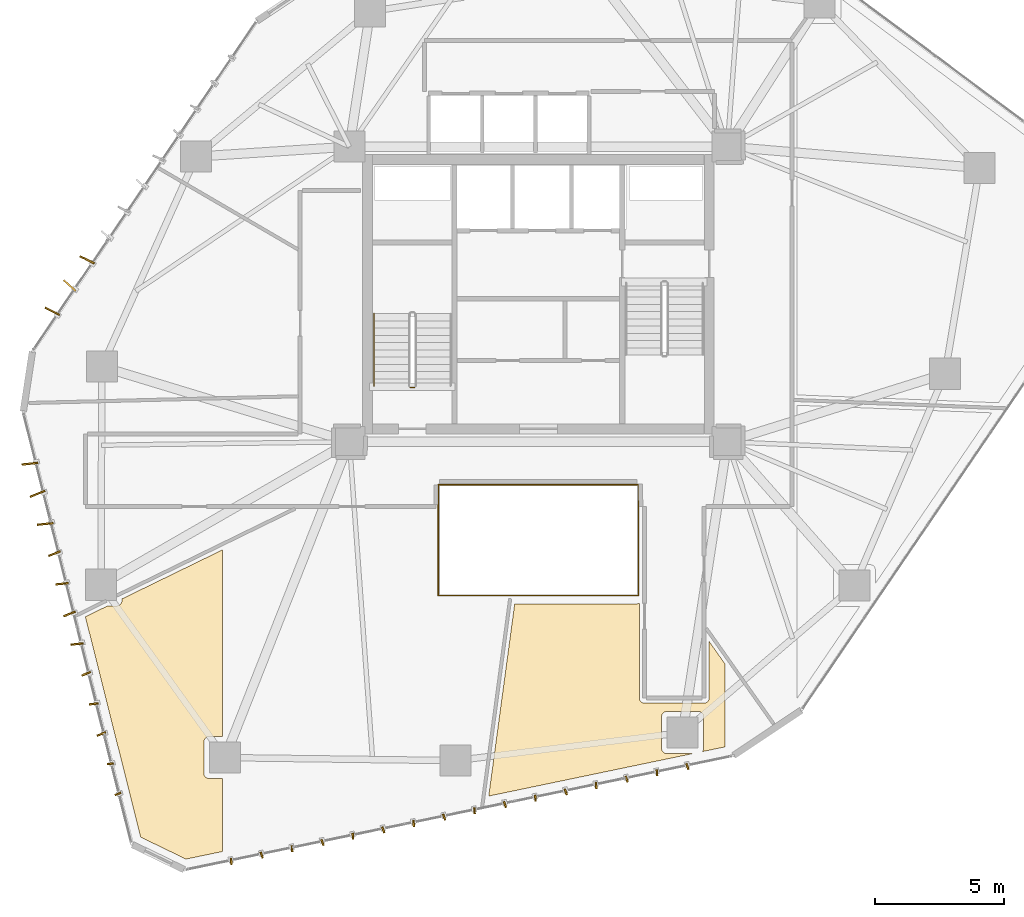
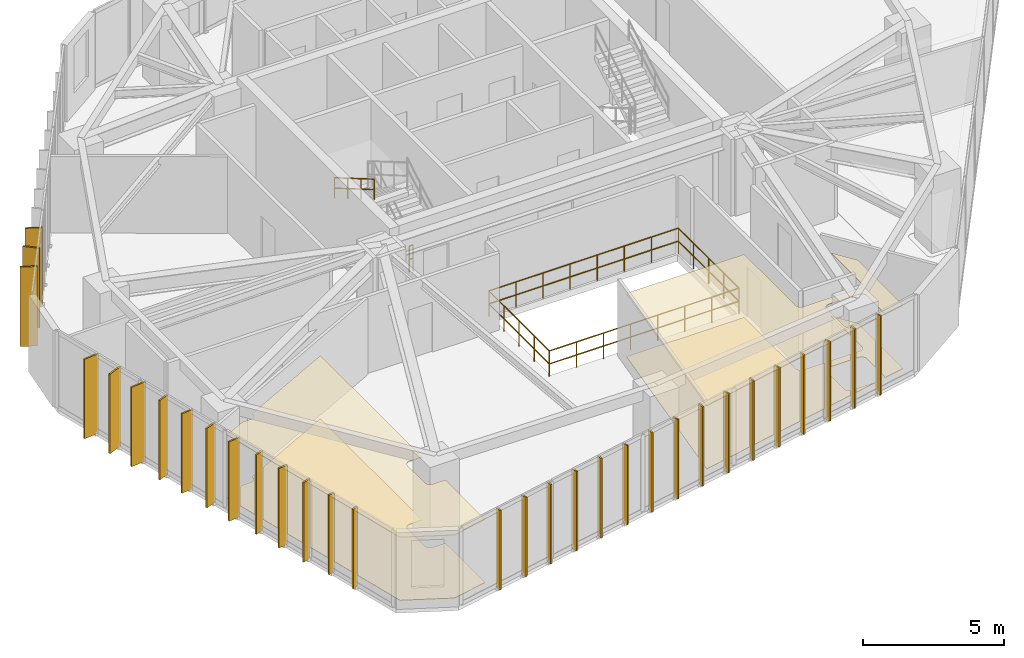
# One storey, part 20 of 22: 31 shading devices, 6 railings, 4 coverings.
"""IFC4 building model written with IfcOpenShell, lengths in metres."""

from ifc_helpers import new_model, si_unit, direction, frame, origin, origin_2d, place, context, subcontext, project, spatial, polyline, rectangle, circle, outline, extrude, source, transform, mapped, material, layer, layer_set, type_object, type_shapes, element, save


model = new_model("IFC4")

# Units and contexts
model_context = context("Model", 3, precision=1e-05, world=origin(), true_north=direction((0.0, 1.0)))
body_context = subcontext(model_context, "Body", "Model", "MODEL_VIEW")
ifc_project = project(units=[si_unit("LENGTHUNIT", "METRE"), si_unit("AREAUNIT", "SQUARE_METRE"), si_unit("VOLUMEUNIT", "CUBIC_METRE"), si_unit("PLANEANGLEUNIT", "RADIAN"), si_unit("MASSUNIT", "GRAM", prefix="KILO")], contexts=[model_context])

# Site, building, storey
site_placement = place(None, origin())
site = spatial("IfcSite", under=ifc_project, at=site_placement, CompositionType="ELEMENT")
building_placement = place(site_placement, origin())
building = spatial("IfcBuilding", under=site, at=building_placement, Name="Talar Marvaseh", CompositionType="ELEMENT")
storey_placement = place(building_placement, frame((0.0, 0.0, 125.39990234375)))
storey = spatial("IfcBuildingStorey", under=building, at=storey_placement, Name="L32", CompositionType="ELEMENT", Elevation=125.39990234375)

# Railings
ifc_material_1 = material(Name="Stainless Steel Grade 316", Category="steel")
railing_type_1 = type_object("IfcRailingType", Name="Brushed Stainless Wall Pitch Handrail 900", PredefinedType="HANDRAIL", material=ifc_material_1)
railing_1_placement = place(storey_placement, frame((19.64990234375, 30.449951171875, 1.963623046875)))
element("IfcRailing", 1, at=railing_1_placement, inside=storey, type_object=railing_type_1, Name="L32 ST-1 stair handrail 2", PredefinedType="HANDRAIL", context=body_context, shape_type="SweptSolid", body=[
    extrude(circle(Radius=0.02392578125, at=origin_2d()), frame((0.0, 0.0, 0.8759765625), z_axis=(0.0, -0.863360870873, 0.504586966384), x_axis=(1.0, 0.0, 0.0)), (0.0, 0.0, 1.0), 3.2431640625),
    extrude(circle(Radius=0.02392578125, at=origin_2d()), frame((0.0, 0.0, 0.42578125), z_axis=(0.0, -0.863360870873, 0.504586966384), x_axis=(1.0, 0.0, 0.0)), (0.0, 0.0, 1.0), 3.2431640625),
    extrude(circle(Radius=0.02099609375, at=origin_2d()), origin(), (0.0, 0.0, 1.0), 0.851806640625),
    extrude(circle(Radius=0.02099609375, at=origin_2d()), frame((0.0, -0.933349609375, 0.54541015625)), (0.0, 0.0, 1.0), 0.851806640625),
    extrude(circle(Radius=0.02099609375, at=origin_2d()), frame((0.0, -1.86669921875, 1.091064453125)), (0.0, 0.0, 1.0), 0.851806640625),
    extrude(circle(Radius=0.02099609375, at=origin_2d()), frame((0.0, -2.800048828125, 1.636474609375)), (0.0, 0.0, 1.0), 0.851806640625),
])
ifc_material_2 = material(Name="Tempered Clear Glass", Category="glass")
railing_type_2 = type_object("IfcRailingType", Name="Interior Atrium Edge Balustrade 1120", PredefinedType="BALUSTRADE", material=ifc_material_2)
railing_2_placement = place(storey_placement, frame((22.1298828125, 19.561279296875, 0.0)))
element("IfcRailing", 2, at=railing_2_placement, inside=storey, type_object=railing_type_2, Name="L32 Internal Daylight Atrium Balustrade 1", PredefinedType="BALUSTRADE", context=body_context, shape_type="SweptSolid", body=[
    extrude(circle(Radius=0.02392578125, at=origin_2d()), frame((0.0, 0.0, 1.09619140625), z_axis=(1.0, 0.0, 0.0), x_axis=(0.0, 1.0, 0.0)), (0.0, 0.0, 1.0), 7.740234375),
    extrude(circle(Radius=0.02392578125, at=origin_2d()), frame((0.0, 0.0, 0.5361328125), z_axis=(1.0, 0.0, 0.0), x_axis=(0.0, 1.0, 0.0)), (0.0, 0.0, 1.0), 7.740234375),
    extrude(circle(Radius=0.02099609375, at=origin_2d()), origin(), (0.0, 0.0, 1.0), 1.072021484375),
    extrude(circle(Radius=0.02099609375, at=origin_2d()), frame((1.105712890625, 0.0, 0.0)), (0.0, 0.0, 1.0), 1.072021484375),
    extrude(circle(Radius=0.02099609375, at=origin_2d()), frame((2.21142578125, 0.0, 0.0)), (0.0, 0.0, 1.0), 1.072021484375),
    extrude(circle(Radius=0.02099609375, at=origin_2d()), frame((3.317138671875, 0.0, 0.0)), (0.0, 0.0, 1.0), 1.072021484375),
    extrude(circle(Radius=0.02099609375, at=origin_2d()), frame((4.423095703125, 0.0, 0.0)), (0.0, 0.0, 1.0), 1.072021484375),
    extrude(circle(Radius=0.02099609375, at=origin_2d()), frame((5.52880859375, 0.0, 0.0)), (0.0, 0.0, 1.0), 1.072021484375),
    extrude(circle(Radius=0.02099609375, at=origin_2d()), frame((6.634521484375, 0.0, 0.0)), (0.0, 0.0, 1.0), 1.072021484375),
    extrude(circle(Radius=0.02099609375, at=origin_2d()), frame((7.740234375, 0.0, 0.0)), (0.0, 0.0, 1.0), 1.072021484375),
])
railing_3_placement = place(storey_placement, frame((29.8701171875, 19.561279296875, 0.0)))
element("IfcRailing", 3, at=railing_3_placement, inside=storey, type_object=railing_type_2, Name="L32 Internal Daylight Atrium Balustrade 2", PredefinedType="BALUSTRADE", context=body_context, shape_type="SweptSolid", body=[
    extrude(circle(Radius=0.02392578125, at=origin_2d()), frame((0.0, 0.0, 1.09619140625), z_axis=(0.0, 1.0, 0.0), x_axis=(-1.0, 0.0, 0.0)), (0.0, 0.0, 1.0), 4.27734375),
    extrude(circle(Radius=0.02392578125, at=origin_2d()), frame((0.0, 0.0, 0.5361328125), z_axis=(0.0, 1.0, 0.0), x_axis=(-1.0, 0.0, 0.0)), (0.0, 0.0, 1.0), 4.27734375),
    extrude(circle(Radius=0.02099609375, at=origin_2d()), origin(), (0.0, 0.0, 1.0), 1.072021484375),
    extrude(circle(Radius=0.02099609375, at=origin_2d()), frame((0.0, 1.0693359375, 0.0)), (0.0, 0.0, 1.0), 1.072021484375),
    extrude(circle(Radius=0.02099609375, at=origin_2d()), frame((0.0, 2.138671875, 0.0)), (0.0, 0.0, 1.0), 1.072021484375),
    extrude(circle(Radius=0.02099609375, at=origin_2d()), frame((0.0, 3.2080078125, 0.0)), (0.0, 0.0, 1.0), 1.072021484375),
    extrude(circle(Radius=0.02099609375, at=origin_2d()), frame((0.0, 4.27734375, 0.0)), (0.0, 0.0, 1.0), 1.072021484375),
])
railing_4_placement = place(storey_placement, frame((29.8701171875, 23.838623046875, 0.0)))
element("IfcRailing", 4, at=railing_4_placement, inside=storey, type_object=railing_type_2, Name="L32 Internal Daylight Atrium Balustrade 3", PredefinedType="BALUSTRADE", context=body_context, shape_type="SweptSolid", body=[
    extrude(circle(Radius=0.02392578125, at=origin_2d()), frame((0.0, 0.0, 1.09619140625), z_axis=(-1.0, 0.0, 0.0), x_axis=(0.0, -1.0, 0.0)), (0.0, 0.0, 1.0), 7.740234375),
    extrude(circle(Radius=0.02392578125, at=origin_2d()), frame((0.0, 0.0, 0.5361328125), z_axis=(-1.0, 0.0, 0.0), x_axis=(0.0, -1.0, 0.0)), (0.0, 0.0, 1.0), 7.740234375),
    extrude(circle(Radius=0.02099609375, at=origin_2d()), origin(), (0.0, 0.0, 1.0), 1.072021484375),
    extrude(circle(Radius=0.02099609375, at=origin_2d()), frame((-1.105712890625, 0.0, 0.0)), (0.0, 0.0, 1.0), 1.072021484375),
    extrude(circle(Radius=0.02099609375, at=origin_2d()), frame((-2.21142578125, 0.0, 0.0)), (0.0, 0.0, 1.0), 1.072021484375),
    extrude(circle(Radius=0.02099609375, at=origin_2d()), frame((-3.317138671875, 0.0, 0.0)), (0.0, 0.0, 1.0), 1.072021484375),
    extrude(circle(Radius=0.02099609375, at=origin_2d()), frame((-4.423095703125, 0.0, 0.0)), (0.0, 0.0, 1.0), 1.072021484375),
    extrude(circle(Radius=0.02099609375, at=origin_2d()), frame((-5.52880859375, 0.0, 0.0)), (0.0, 0.0, 1.0), 1.072021484375),
    extrude(circle(Radius=0.02099609375, at=origin_2d()), frame((-6.634521484375, 0.0, 0.0)), (0.0, 0.0, 1.0), 1.072021484375),
    extrude(circle(Radius=0.02099609375, at=origin_2d()), frame((-7.740234375, 0.0, 0.0)), (0.0, 0.0, 1.0), 1.072021484375),
])
railing_5_placement = place(storey_placement, frame((22.1298828125, 23.838623046875, 0.0)))
element("IfcRailing", 5, at=railing_5_placement, inside=storey, type_object=railing_type_2, Name="L32 Internal Daylight Atrium Balustrade 4", PredefinedType="BALUSTRADE", context=body_context, shape_type="SweptSolid", body=[
    extrude(circle(Radius=0.02392578125, at=origin_2d()), frame((0.0, 0.0, 1.09619140625), z_axis=(0.0, -1.0, 0.0), x_axis=(1.0, 0.0, 0.0)), (0.0, 0.0, 1.0), 4.27734375),
    extrude(circle(Radius=0.02392578125, at=origin_2d()), frame((0.0, 0.0, 0.5361328125), z_axis=(0.0, -1.0, 0.0), x_axis=(1.0, 0.0, 0.0)), (0.0, 0.0, 1.0), 4.27734375),
    extrude(circle(Radius=0.02099609375, at=origin_2d()), origin(), (0.0, 0.0, 1.0), 1.072021484375),
    extrude(circle(Radius=0.02099609375, at=origin_2d()), frame((0.0, -1.0693359375, 0.0)), (0.0, 0.0, 1.0), 1.072021484375),
    extrude(circle(Radius=0.02099609375, at=origin_2d()), frame((0.0, -2.138671875, 0.0)), (0.0, 0.0, 1.0), 1.072021484375),
    extrude(circle(Radius=0.02099609375, at=origin_2d()), frame((0.0, -3.2080078125, 0.0)), (0.0, 0.0, 1.0), 1.072021484375),
    extrude(circle(Radius=0.02099609375, at=origin_2d()), frame((0.0, -4.27734375, 0.0)), (0.0, 0.0, 1.0), 1.072021484375),
])
railing_type_3 = type_object("IfcRailingType", Name="Painted Steel Core Stair Well Guardrail 1150", PredefinedType="GUARDRAIL", material=ifc_material_1)
railing_6_placement = place(storey_placement, frame((21.2099609375, 27.60009765625, 0.0)))
element("IfcRailing", 6, at=railing_6_placement, inside=storey, type_object=railing_type_3, Name="L32 ST-1 stair guard 4", PredefinedType="GUARDRAIL", context=body_context, shape_type="SweptSolid", body=[
    extrude(circle(Radius=0.02392578125, at=origin_2d()), frame((0.0, 0.0, 1.1259765625), z_axis=(-1.0, 0.0, 0.0), x_axis=(0.0, -1.0, 0.0)), (0.0, 0.0, 1.0), 0.159912109375),
    extrude(circle(Radius=0.02392578125, at=origin_2d()), frame((0.0, 0.0, 0.55078125), z_axis=(-1.0, 0.0, 0.0), x_axis=(0.0, -1.0, 0.0)), (0.0, 0.0, 1.0), 0.159912109375),
    extrude(circle(Radius=0.02099609375, at=origin_2d()), origin(), (0.0, 0.0, 1.0), 1.101806640625),
    extrude(circle(Radius=0.02099609375, at=origin_2d()), frame((-0.159912109375, 0.0, 0.0)), (0.0, 0.0, 1.0), 1.101806640625),
])

# Coverings
ifc_material_3 = material(Name="Mineral Fibre Acoustic Ceiling")
ifc_layer_1 = layer(ifc_material_3, 0.02490234375)
ifc_layer_set_1 = layer_set([ifc_layer_1], Name="Mineral Fibre Acoustic Ceiling")
covering_type_1 = type_object("IfcCoveringType", Name="Perforated Mineral Fibre Acoustic Suspended Ceiling", PredefinedType="CEILING", material=ifc_layer_set_1)
covering_1_placement = place(storey_placement, frame((0.0, 0.0, 2.72021484375)))
element("IfcCovering", 7, at=covering_1_placement, inside=storey, type_object=covering_type_1, Name="L32 Curatorial Office Acoustic Ceiling", PredefinedType="CEILING", context=body_context, shape_type="SweptSolid", body=[
    extrude(outline(polyline([(9.361083984375, 19.162109375), (9.708984375, 19.163818359375), (9.7294921875, 19.164794921875), (9.749755859375, 19.168212890625), (9.76953125, 19.173583984375), (9.788818359375, 19.180908203125), (9.80712890625, 19.18994140625), (9.824462890625, 19.201171875), (9.840576171875, 19.2138671875), (9.855224609375, 19.228271484375), (9.868408203125, 19.243896484375), (9.879638671875, 19.260986328125), (9.8876953125, 19.2744140625), (9.897705078125, 19.29345703125), (9.905517578125, 19.3134765625), (9.911376953125, 19.334228515625), (9.914794921875, 19.35546875), (9.916015625, 19.376953125), (9.916015625, 19.432861328125), (13.800048828125, 21.3271484375), (13.800048828125, 14.11376953125), (13.291015625, 14.114013671875), (13.2734375, 14.11328125), (13.255859375, 14.11083984375), (13.238525390625, 14.10693359375), (13.2216796875, 14.1015625), (13.205322265625, 14.0947265625), (13.193603515625, 14.089111328125), (13.17578125, 14.07958984375), (13.15869140625, 14.068115234375), (13.14306640625, 14.054931640625), (13.12890625, 14.040283203125), (13.1162109375, 14.024169921875), (13.105224609375, 14.0068359375), (13.09619140625, 13.988525390625), (13.0888671875, 13.96923828125), (13.083740234375, 13.949462890625), (13.08056640625, 13.92919921875), (13.079345703125, 13.908935546875), (13.0771484375, 12.693603515625), (13.077880859375, 12.674072265625), (13.080810546875, 12.654541015625), (13.085693359375, 12.635498046875), (13.09228515625, 12.616943359375), (13.1005859375, 12.59912109375), (13.110595703125, 12.58251953125), (13.122314453125, 12.566650390625), (13.135498046875, 12.552001953125), (13.150146484375, 12.538818359375), (13.166015625, 12.527099609375), (13.1796875, 12.517822265625), (13.196533203125, 12.5078125), (13.21435546875, 12.499267578125), (13.23291015625, 12.49267578125), (13.251953125, 12.48779296875), (13.271484375, 12.485107421875), (13.291015625, 12.48388671875), (13.800048828125, 12.48388671875), (13.800048828125, 9.673095703125), (12.385498046875, 9.378662109375), (10.637451171875, 10.224609375), (8.498779296875, 18.74169921875), (9.361083984375, 19.162109375)])), origin(), (0.0, 0.0, 1.0), 0.02490234375),
])
covering_2_placement = place(storey_placement, frame((0.0, 0.0, 2.72021484375)))
element("IfcCovering", 8, at=covering_2_placement, inside=storey, type_object=covering_type_1, Name="L32 Museum Publication Bookshop Acoustic Ceiling", PredefinedType="CEILING", context=body_context, shape_type="SweptSolid", body=[
    extrude(outline(polyline([(29.800048828125, 19.239990234375), (29.81640625, 19.24072265625), (29.83251953125, 19.24267578125), (29.8486328125, 19.24609375), (29.89990234375, 19.2587890625), (29.89990234375, 15.60009765625), (29.90087890625, 15.580322265625), (29.90380859375, 15.56103515625), (29.90869140625, 15.5419921875), (29.915283203125, 15.5234375), (29.923583984375, 15.505615234375), (29.93359375, 15.489013671875), (29.9453125, 15.47314453125), (29.95849609375, 15.45849609375), (29.97314453125, 15.4453125), (29.989013671875, 15.43359375), (30.005615234375, 15.423583984375), (30.0234375, 15.415283203125), (30.0419921875, 15.40869140625), (30.06103515625, 15.40380859375), (30.080322265625, 15.40087890625), (30.10009765625, 15.39990234375), (32.39990234375, 15.39990234375), (32.419677734375, 15.40087890625), (32.43896484375, 15.40380859375), (32.4580078125, 15.40869140625), (32.4765625, 15.415283203125), (32.494384765625, 15.423583984375), (32.510986328125, 15.43359375), (32.52685546875, 15.4453125), (32.54150390625, 15.45849609375), (32.5546875, 15.47314453125), (32.56640625, 15.489013671875), (32.576416015625, 15.505615234375), (32.584716796875, 15.5234375), (32.59130859375, 15.5419921875), (32.59619140625, 15.56103515625), (32.59912109375, 15.580322265625), (32.60009765625, 15.60009765625), (32.60009765625, 17.78271484375), (33.199951171875, 16.930908203125), (33.199951171875, 13.711181640625), (32.335693359375, 13.531494140625), (32.3466796875, 13.5458984375), (32.356689453125, 13.562744140625), (32.365234375, 13.580322265625), (32.371826171875, 13.598876953125), (32.376708984375, 13.617919921875), (32.379638671875, 13.63720703125), (32.380615234375, 13.65673828125), (32.385009765625, 14.868896484375), (32.384033203125, 14.887451171875), (32.381591796875, 14.90576171875), (32.377197265625, 14.924072265625), (32.371337890625, 14.941650390625), (32.364013671875, 14.958740234375), (32.35498046875, 14.974853515625), (32.34423828125, 14.990234375), (32.33251953125, 15.004638671875), (32.319091796875, 15.017578125), (32.30419921875, 15.03125), (32.2900390625, 15.04296875), (32.274658203125, 15.053466796875), (32.258544921875, 15.062255859375), (32.24169921875, 15.069580078125), (32.22412109375, 15.07568359375), (32.2060546875, 15.07958984375), (32.187744140625, 15.082275390625), (32.169189453125, 15.0830078125), (30.958740234375, 15.07861328125), (30.939208984375, 15.07763671875), (30.919921875, 15.07470703125), (30.90087890625, 15.06982421875), (30.88232421875, 15.063232421875), (30.86474609375, 15.0546875), (30.847900390625, 15.044677734375), (30.832275390625, 15.032958984375), (30.817626953125, 15.019775390625), (30.8046875, 15.005126953125), (30.79296875, 14.989501953125), (30.782958984375, 14.97265625), (30.774658203125, 14.955078125), (30.76806640625, 14.9365234375), (30.76318359375, 14.91748046875), (30.760498046875, 14.898193359375), (30.759521484375, 14.878662109375), (30.759521484375, 13.657470703125), (30.760498046875, 13.6376953125), (30.76318359375, 13.618408203125), (30.76806640625, 13.599365234375), (30.774658203125, 13.580810546875), (30.782958984375, 13.56298828125), (30.793212890625, 13.54638671875), (30.8046875, 13.530517578125), (30.818115234375, 13.51611328125), (30.83251953125, 13.502685546875), (30.848388671875, 13.4912109375), (30.864990234375, 13.48095703125), (30.8828125, 13.47265625), (30.9013671875, 13.466064453125), (30.92041015625, 13.461181640625), (30.939697265625, 13.45849609375), (30.95947265625, 13.45751953125), (31.980224609375, 13.45751953125), (24.081298828125, 11.81298828125), (25.085205078125, 19.239990234375), (29.800048828125, 19.239990234375)])), origin(), (0.0, 0.0, 1.0), 0.02490234375),
])
ifc_material_4 = material(Name="Porcelain Stoneware Tile", Category="masonry")
ifc_layer_2 = layer(ifc_material_4, 0.02001953125)
ifc_layer_set_2 = layer_set([ifc_layer_2], Name="Porcelain Stoneware Tile")
covering_type_2 = type_object("IfcCoveringType", Name="Polished Porcelain Stoneware Gallery Flooring", PredefinedType="FLOORING", material=ifc_layer_set_2)
covering_3_placement = place(storey_placement, origin())
element("IfcCovering", 9, at=covering_3_placement, inside=storey, type_object=covering_type_2, Name="L32 Curatorial Office Flooring", PredefinedType="FLOORING", context=body_context, shape_type="SweptSolid", body=[
    extrude(outline(polyline([(9.361083984375, 19.162109375), (9.708984375, 19.163818359375), (9.7294921875, 19.164794921875), (9.749755859375, 19.168212890625), (9.76953125, 19.173583984375), (9.788818359375, 19.180908203125), (9.80712890625, 19.18994140625), (9.824462890625, 19.201171875), (9.840576171875, 19.2138671875), (9.855224609375, 19.228271484375), (9.868408203125, 19.243896484375), (9.879638671875, 19.260986328125), (9.8876953125, 19.2744140625), (9.897705078125, 19.29345703125), (9.905517578125, 19.3134765625), (9.911376953125, 19.334228515625), (9.914794921875, 19.35546875), (9.916015625, 19.376953125), (9.916015625, 19.432861328125), (13.800048828125, 21.3271484375), (13.800048828125, 14.11376953125), (13.291015625, 14.114013671875), (13.2734375, 14.11328125), (13.255859375, 14.11083984375), (13.238525390625, 14.10693359375), (13.2216796875, 14.1015625), (13.205322265625, 14.0947265625), (13.193603515625, 14.089111328125), (13.17578125, 14.07958984375), (13.15869140625, 14.068115234375), (13.14306640625, 14.054931640625), (13.12890625, 14.040283203125), (13.1162109375, 14.024169921875), (13.105224609375, 14.0068359375), (13.09619140625, 13.988525390625), (13.0888671875, 13.96923828125), (13.083740234375, 13.949462890625), (13.08056640625, 13.92919921875), (13.079345703125, 13.908935546875), (13.0771484375, 12.693603515625), (13.077880859375, 12.674072265625), (13.080810546875, 12.654541015625), (13.085693359375, 12.635498046875), (13.09228515625, 12.616943359375), (13.1005859375, 12.59912109375), (13.110595703125, 12.58251953125), (13.122314453125, 12.566650390625), (13.135498046875, 12.552001953125), (13.150146484375, 12.538818359375), (13.166015625, 12.527099609375), (13.1796875, 12.517822265625), (13.196533203125, 12.5078125), (13.21435546875, 12.499267578125), (13.23291015625, 12.49267578125), (13.251953125, 12.48779296875), (13.271484375, 12.485107421875), (13.291015625, 12.48388671875), (13.800048828125, 12.48388671875), (13.800048828125, 9.673095703125), (12.385498046875, 9.378662109375), (10.637451171875, 10.224609375), (8.498779296875, 18.74169921875), (9.361083984375, 19.162109375)])), origin(), (0.0, 0.0, 1.0), 0.02001953125),
])
covering_4_placement = place(storey_placement, origin())
element("IfcCovering", 10, at=covering_4_placement, inside=storey, type_object=covering_type_2, Name="L32 Museum Publication Bookshop Flooring", PredefinedType="FLOORING", context=body_context, shape_type="SweptSolid", body=[
    extrude(outline(polyline([(29.800048828125, 19.239990234375), (29.81640625, 19.24072265625), (29.83251953125, 19.24267578125), (29.8486328125, 19.24609375), (29.89990234375, 19.2587890625), (29.89990234375, 15.60009765625), (29.90087890625, 15.580322265625), (29.90380859375, 15.56103515625), (29.90869140625, 15.5419921875), (29.915283203125, 15.5234375), (29.923583984375, 15.505615234375), (29.93359375, 15.489013671875), (29.9453125, 15.47314453125), (29.95849609375, 15.45849609375), (29.97314453125, 15.4453125), (29.989013671875, 15.43359375), (30.005615234375, 15.423583984375), (30.0234375, 15.415283203125), (30.0419921875, 15.40869140625), (30.06103515625, 15.40380859375), (30.080322265625, 15.40087890625), (30.10009765625, 15.39990234375), (32.39990234375, 15.39990234375), (32.419677734375, 15.40087890625), (32.43896484375, 15.40380859375), (32.4580078125, 15.40869140625), (32.4765625, 15.415283203125), (32.494384765625, 15.423583984375), (32.510986328125, 15.43359375), (32.52685546875, 15.4453125), (32.54150390625, 15.45849609375), (32.5546875, 15.47314453125), (32.56640625, 15.489013671875), (32.576416015625, 15.505615234375), (32.584716796875, 15.5234375), (32.59130859375, 15.5419921875), (32.59619140625, 15.56103515625), (32.59912109375, 15.580322265625), (32.60009765625, 15.60009765625), (32.60009765625, 17.78271484375), (33.199951171875, 16.930908203125), (33.199951171875, 13.711181640625), (32.335693359375, 13.531494140625), (32.3466796875, 13.5458984375), (32.356689453125, 13.562744140625), (32.365234375, 13.580322265625), (32.371826171875, 13.598876953125), (32.376708984375, 13.617919921875), (32.379638671875, 13.63720703125), (32.380615234375, 13.65673828125), (32.385009765625, 14.868896484375), (32.384033203125, 14.887451171875), (32.381591796875, 14.90576171875), (32.377197265625, 14.924072265625), (32.371337890625, 14.941650390625), (32.364013671875, 14.958740234375), (32.35498046875, 14.974853515625), (32.34423828125, 14.990234375), (32.33251953125, 15.004638671875), (32.319091796875, 15.017578125), (32.30419921875, 15.03125), (32.2900390625, 15.04296875), (32.274658203125, 15.053466796875), (32.258544921875, 15.062255859375), (32.24169921875, 15.069580078125), (32.22412109375, 15.07568359375), (32.2060546875, 15.07958984375), (32.187744140625, 15.082275390625), (32.169189453125, 15.0830078125), (30.958740234375, 15.07861328125), (30.939208984375, 15.07763671875), (30.919921875, 15.07470703125), (30.90087890625, 15.06982421875), (30.88232421875, 15.063232421875), (30.86474609375, 15.0546875), (30.847900390625, 15.044677734375), (30.832275390625, 15.032958984375), (30.817626953125, 15.019775390625), (30.8046875, 15.005126953125), (30.79296875, 14.989501953125), (30.782958984375, 14.97265625), (30.774658203125, 14.955078125), (30.76806640625, 14.9365234375), (30.76318359375, 14.91748046875), (30.760498046875, 14.898193359375), (30.759521484375, 14.878662109375), (30.759521484375, 13.657470703125), (30.760498046875, 13.6376953125), (30.76318359375, 13.618408203125), (30.76806640625, 13.599365234375), (30.774658203125, 13.580810546875), (30.782958984375, 13.56298828125), (30.793212890625, 13.54638671875), (30.8046875, 13.530517578125), (30.818115234375, 13.51611328125), (30.83251953125, 13.502685546875), (30.848388671875, 13.4912109375), (30.864990234375, 13.48095703125), (30.8828125, 13.47265625), (30.9013671875, 13.466064453125), (30.92041015625, 13.461181640625), (30.939697265625, 13.45849609375), (30.95947265625, 13.45751953125), (31.980224609375, 13.45751953125), (24.081298828125, 11.81298828125), (25.085205078125, 19.239990234375), (29.800048828125, 19.239990234375)])), origin(), (0.0, 0.0, 1.0), 0.02001953125),
])

# Shading devices
ifc_material_5 = material(Name="Anodised Champagne Bronze Aluminium", Category="aluminium")
ifc_layer_3 = layer(ifc_material_5, 0.06494140625)
ifc_layer_set_3 = layer_set([ifc_layer_3], Name="Anodised Champagne Bronze Aluminium")
shading_device_type_1 = type_object("IfcShadingDeviceType", Name="Sawtooth Champagne Bronze Vertical Fin 240", PredefinedType="USERDEFINED", material=ifc_layer_set_3)
shared_shape_1 = source(origin(), body_context, "Body", "SweptSolid", [
    extrude(rectangle(XDim=0.239990234375, YDim=0.06494140625, at=origin_2d()), origin(), (0.0, 0.0, 1.0), 3.429931640625),
])
type_shapes(shading_device_type_1, [shared_shape_1])
for number, where, z_axis, x_axis, name in (
    (11, (9.75830078125, 11.897705078125, -0.11962890625), (0.0, 0.0, 1.0), (-0.926528630872, -0.376224263139, 0.0), "L32 Sawtooth Vertical Solar Fin"),
    (12, (9.466064453125, 13.061767578125, -0.11962890625), (0.0, 0.0, 1.0), (-0.994337944133, -0.106264071336, 0.0), "L32 Sawtooth Vertical Solar Fin"),
    (13, (31.756103515625, 12.956298828125, -0.11962890625), (0.0, 0.0, 1.0), (0.338080979059, -0.941117023328, 0.0), "L32 Sawtooth Vertical Solar Fin"),
    (14, (30.581298828125, 12.711669921875, -0.11962890625), (0.0, 0.0, 1.0), (0.06557728747, -0.997847493041, 0.0), "L32 Sawtooth Vertical Solar Fin"),
    (15, (29.406494140625, 12.467041015625, -0.11962890625), (0.0, 0.0, 1.0), (0.338080979059, -0.941117023328, 0.0), "L32 Sawtooth Vertical Solar Fin"),
    (16, (28.231689453125, 12.222412109375, -0.11962890625), (0.0, 0.0, 1.0), (0.06557728747, -0.997847493041, 0.0), "L32 Sawtooth Vertical Solar Fin"),
    (17, (27.056884765625, 11.97802734375, -0.11962890625), (0.0, 0.0, 1.0), (0.338080979059, -0.941117023328, 0.0), "L32 Sawtooth Vertical Solar Fin"),
    (18, (25.8818359375, 11.7333984375, -0.11962890625), (0.0, 0.0, 1.0), (0.06557728747, -0.997847493041, 0.0), "L32 Sawtooth Vertical Solar Fin"),
    (19, (24.70703125, 11.489013671875, -0.11962890625), (0.0, 0.0, 1.0), (0.338080979059, -0.941117023328, 0.0), "L32 Sawtooth Vertical Solar Fin"),
    (20, (23.5322265625, 11.244384765625, -0.11962890625), (0.0, 0.0, 1.0), (0.06557728747, -0.997847493041, 0.0), "L32 Sawtooth Vertical Solar Fin"),
    (21, (22.357421875, 10.999755859375, -0.11962890625), (0.0, 0.0, 1.0), (0.338080979059, -0.941117023328, 0.0), "L32 Sawtooth Vertical Solar Fin"),
    (22, (21.1826171875, 10.755126953125, -0.11962890625), (0.0, 0.0, 1.0), (0.06557728747, -0.997847493041, 0.0), "L32 Sawtooth Vertical Solar Fin"),
    (23, (20.0078125, 10.5107421875, -0.11962890625), (0.0, 0.0, 1.0), (0.338080979059, -0.941117023328, 0.0), "L32 Sawtooth Vertical Solar Fin"),
    (24, (18.8330078125, 10.26611328125, -0.11962890625), (0.0, 0.0, 1.0), (0.06557728747, -0.997847493041, 0.0), "L32 Sawtooth Vertical Solar Fin"),
    (25, (17.658203125, 10.021484375, -0.11962890625), (0.0, 0.0, 1.0), (0.338080979059, -0.941117023328, 0.0), "L32 Sawtooth Vertical Solar Fin"),
    (26, (16.4833984375, 9.777099609375, -0.11962890625), (0.0, 0.0, 1.0), (0.06557728747, -0.997847493041, 0.0), "L32 Sawtooth Vertical Solar Fin"),
    (27, (15.30859375, 9.532470703125, -0.11962890625), (0.0, 0.0, 1.0), (0.338080979059, -0.941117023328, 0.0), "L32 Sawtooth Vertical Solar Fin"),
    (28, (14.1337890625, 9.287841796875, -0.11962890625), (0.0, 0.0, 1.0), (0.06557728747, -0.997847493041, 0.0), "L32 Sawtooth Vertical Solar Fin"),
):
    element("IfcShadingDevice", number, at=place(storey_placement, frame(where, z_axis=z_axis, x_axis=x_axis)), inside=storey, type_object=shading_device_type_1, Name=name, ObjectType="FIN", PredefinedType="USERDEFINED", context=body_context, shape_type="MappedRepresentation", body=[
        mapped(shared_shape_1, transform((0.0, 0.0, 0.0), x_axis=(1.0, 0.0, 0.0), y_axis=(0.0, 1.0, 0.0), z_axis=(0.0, 0.0, 1.0), scale=1.0)),
    ])
ifc_layer_4 = layer(ifc_material_5, 0.06494140625)
ifc_layer_set_4 = layer_set([ifc_layer_4], Name="Anodised Champagne Bronze Aluminium")
shading_device_type_2 = type_object("IfcShadingDeviceType", Name="Sawtooth Champagne Bronze Vertical Fin 360", PredefinedType="USERDEFINED", material=ifc_layer_set_4)
shared_shape_2 = source(origin(), body_context, "Body", "SweptSolid", [
    extrude(rectangle(XDim=0.360107421875, YDim=0.06494140625, at=origin_2d()), origin(), (0.0, 0.0, 1.0), 3.429931640625),
])
type_shapes(shading_device_type_2, [shared_shape_2])
for number, where, z_axis, x_axis, name in (
    (29, (9.11572265625, 14.2109375, -0.11962890625), (0.0, 0.0, 1.0), (-0.926528630872, -0.376224263139, 0.0), "L32 Sawtooth Vertical Solar Fin"),
    (30, (8.823486328125, 15.374755859375, -0.11962890625), (0.0, 0.0, 1.0), (-0.994337944133, -0.106264071336, 0.0), "L32 Sawtooth Vertical Solar Fin"),
    (31, (8.53125, 16.538818359375, -0.11962890625), (0.0, 0.0, 1.0), (-0.926528630872, -0.376224263139, 0.0), "L32 Sawtooth Vertical Solar Fin"),
):
    element("IfcShadingDevice", number, at=place(storey_placement, frame(where, z_axis=z_axis, x_axis=x_axis)), inside=storey, type_object=shading_device_type_2, Name=name, ObjectType="FIN", PredefinedType="USERDEFINED", context=body_context, shape_type="MappedRepresentation", body=[
        mapped(shared_shape_2, transform((0.0, 0.0, 0.0), x_axis=(1.0, 0.0, 0.0), y_axis=(0.0, 1.0, 0.0), z_axis=(0.0, 0.0, 1.0), scale=1.0)),
    ])
ifc_layer_5 = layer(ifc_material_5, 0.06494140625)
ifc_layer_set_5 = layer_set([ifc_layer_5], Name="Anodised Champagne Bronze Aluminium")
shading_device_type_3 = type_object("IfcShadingDeviceType", Name="Sawtooth Champagne Bronze Vertical Fin 480", PredefinedType="USERDEFINED", material=ifc_layer_set_5)
shared_shape_3 = source(origin(), body_context, "Body", "SweptSolid", [
    extrude(rectangle(XDim=0.47998046875, YDim=0.06494140625, at=origin_2d()), origin(), (0.0, 0.0, 1.0), 3.429931640625),
])
type_shapes(shading_device_type_3, [shared_shape_3])
for number, where, z_axis, x_axis, name in (
    (32, (8.1806640625, 17.68798828125, -0.11962890625), (0.0, 0.0, 1.0), (-0.994337944133, -0.106264071336, 0.0), "L32 Sawtooth Vertical Solar Fin"),
    (33, (7.888427734375, 18.851806640625, -0.11962890625), (0.0, 0.0, 1.0), (-0.926528630872, -0.376224263139, 0.0), "L32 Sawtooth Vertical Solar Fin"),
    (34, (7.59619140625, 20.015625, -0.11962890625), (0.0, 0.0, 1.0), (-0.994337944133, -0.106264071336, 0.0), "L32 Sawtooth Vertical Solar Fin"),
    (35, (7.303955078125, 21.179443359375, -0.11962890625), (0.0, 0.0, 1.0), (-0.926528630872, -0.376224263139, 0.0), "L32 Sawtooth Vertical Solar Fin"),
):
    element("IfcShadingDevice", number, at=place(storey_placement, frame(where, z_axis=z_axis, x_axis=x_axis)), inside=storey, type_object=shading_device_type_3, Name=name, ObjectType="FIN", PredefinedType="USERDEFINED", context=body_context, shape_type="MappedRepresentation", body=[
        mapped(shared_shape_3, transform((0.0, 0.0, 0.0), x_axis=(1.0, 0.0, 0.0), y_axis=(0.0, 1.0, 0.0), z_axis=(0.0, 0.0, 1.0), scale=1.0)),
    ])
ifc_layer_6 = layer(ifc_material_5, 0.06494140625)
ifc_layer_set_6 = layer_set([ifc_layer_6], Name="Anodised Champagne Bronze Aluminium")
shading_device_type_4 = type_object("IfcShadingDeviceType", Name="Sawtooth Champagne Bronze Vertical Fin 620", PredefinedType="USERDEFINED", material=ifc_layer_set_6)
shared_shape_4 = source(origin(), body_context, "Body", "SweptSolid", [
    extrude(rectangle(XDim=0.6201171875, YDim=0.06494140625, at=origin_2d()), origin(), (0.0, 0.0, 1.0), 3.429931640625),
])
type_shapes(shading_device_type_4, [shared_shape_4])
for number, where, z_axis, x_axis, name in (
    (36, (6.94384765625, 22.326416015625, -0.11962890625), (0.0, 0.0, 1.0), (-0.994337944133, -0.106264071336, 0.0), "L32 Sawtooth Vertical Solar Fin"),
    (37, (6.651611328125, 23.490234375, -0.11962890625), (0.0, 0.0, 1.0), (-0.926528630872, -0.376224263139, 0.0), "L32 Sawtooth Vertical Solar Fin"),
    (38, (6.359375, 24.654052734375, -0.11962890625), (0.0, 0.0, 1.0), (-0.994337944133, -0.106264071336, 0.0), "L32 Sawtooth Vertical Solar Fin"),
    (39, (7.218505859375, 30.5439453125, -0.11962890625), (0.0, 0.0, 1.0), (-0.897412429623, 0.441192623644, 0.0), "L32 Sawtooth Vertical Solar Fin"),
    (40, (7.892822265625, 31.53662109375, -0.11962890625), (0.0, 0.0, 1.0), (-0.741039025868, 0.671461958818, 0.0), "L32 Sawtooth Vertical Solar Fin"),
    (41, (8.56689453125, 32.529296875, -0.11962890625), (0.0, 0.0, 1.0), (-0.897412429623, 0.441192623644, 0.0), "L32 Sawtooth Vertical Solar Fin"),
):
    element("IfcShadingDevice", number, at=place(storey_placement, frame(where, z_axis=z_axis, x_axis=x_axis)), inside=storey, type_object=shading_device_type_4, Name=name, ObjectType="FIN", PredefinedType="USERDEFINED", context=body_context, shape_type="MappedRepresentation", body=[
        mapped(shared_shape_4, transform((0.0, 0.0, 0.0), x_axis=(1.0, 0.0, 0.0), y_axis=(0.0, 1.0, 0.0), z_axis=(0.0, 0.0, 1.0), scale=1.0)),
    ])

save(model, "model.ifc")
